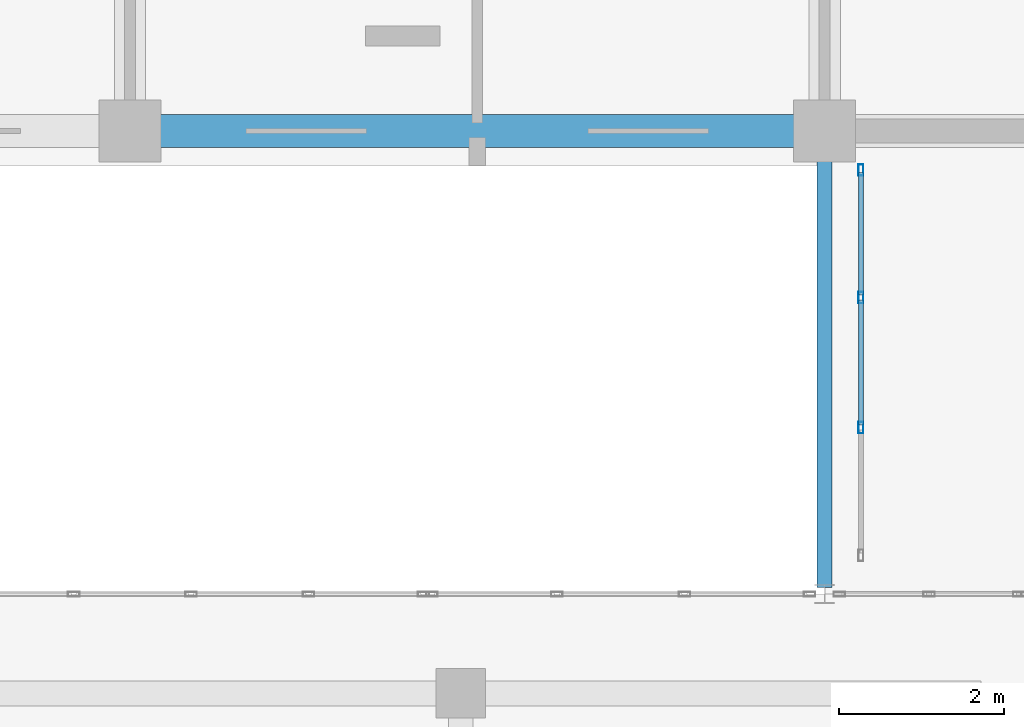
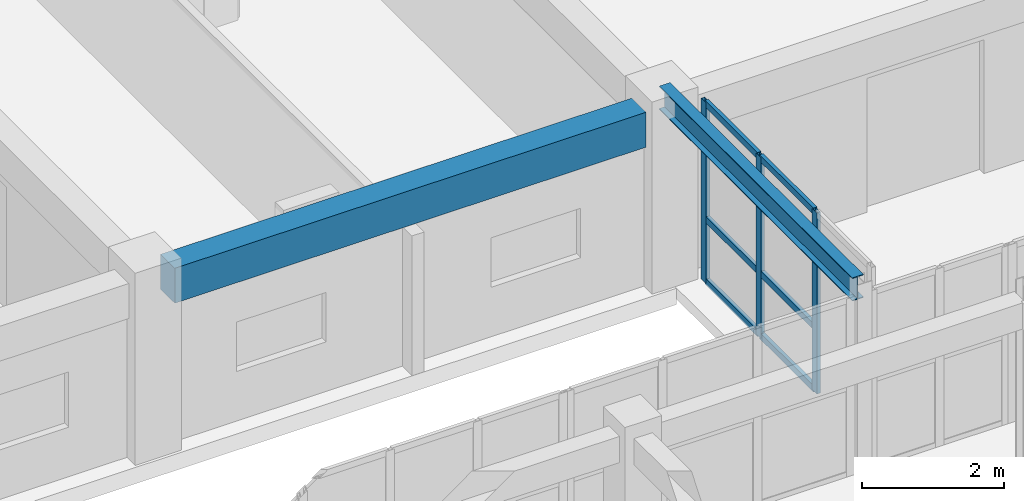
# One storey, part 88 of 200: 9 members, 2 beams, 1 element without a shape of its own.
"""IFC4 building model written with IfcOpenShell, lengths in metres."""

from ifc_helpers import new_model, si_unit, direction, frame, origin, origin_2d, place, context, subcontext, project, spatial, rectangle, hollow_rectangle, i_section, extrude, material, layer, layer_set, material_profile, profile_set, type_object, element, aggregate, save


model = new_model("IFC4")

# Units and contexts
model_context = context("Model", 3, precision=1e-05, world=origin(), true_north=direction((0.0, 1.0)))
body_context = subcontext(model_context, "Body", "Model", "MODEL_VIEW")
ifc_project = project(units=[si_unit("LENGTHUNIT", "METRE"), si_unit("AREAUNIT", "SQUARE_METRE"), si_unit("VOLUMEUNIT", "CUBIC_METRE"), si_unit("PLANEANGLEUNIT", "RADIAN"), si_unit("MASSUNIT", "GRAM", prefix="KILO")], contexts=[model_context])

# Site, building, storey
site_placement = place(None, origin())
site = spatial("IfcSite", under=ifc_project, at=site_placement, CompositionType="ELEMENT")
building_placement = place(site_placement, origin())
building = spatial("IfcBuilding", under=site, at=building_placement, Name="Trelvath General Hospital", CompositionType="ELEMENT")
storey_placement = place(building_placement, frame((0.0, 0.0, 4.800048828125)))
storey = spatial("IfcBuildingStorey", under=building, at=storey_placement, Name="L01", CompositionType="ELEMENT", Elevation=4.800048828125)

# Beams
ifc_material_1 = material(Name="Concrete C35/45", Category="concrete")
ifc_material_profile_1 = material_profile(ifc_material_1, rectangle(XDim=0.39990234375, YDim=0.60009765625, at=origin_2d()), Name="RCB400x600")
ifc_profile_set_1 = profile_set([ifc_material_profile_1], Name="Concrete C35/45")
beam_type_1 = type_object("IfcBeamType", Name="Beam RC400x600", PredefinedType="BEAM", material=ifc_profile_set_1)
beam_1_placement = place(storey_placement, frame((50.77001953125, 92.39990234375, 2.719970703125), z_axis=(1.0, 0.0, 0.0), x_axis=(0.0, 1.0, 0.0)))
element("IfcBeam", 1, at=beam_1_placement, inside=storey, type_object=beam_type_1, Name="Grid Beam BX-106L", PredefinedType="BEAM", context=body_context, shape_type="SweptSolid", body=[
    extrude(rectangle(XDim=0.39990234375, YDim=0.60009765625, at=origin_2d()), origin(), (0.0, 0.0, 1.0), 7.659912109375),
])
ifc_material_2 = material(Name="Steel S355", Category="steel")
ifc_material_profile_2 = material_profile(ifc_material_2, i_section(OverallWidth=0.179931640625, OverallDepth=0.39990234375, WebThickness=0.008544921875, FlangeThickness=0.013427734375, at=origin_2d()), Name="IPE400")
ifc_profile_set_2 = profile_set([ifc_material_profile_2], Name="Steel S355")
beam_type_2 = type_object("IfcBeamType", Name="BridgeGirder IPE400", PredefinedType="BEAM", material=ifc_profile_set_2)
beam_2_placement = place(storey_placement, frame((58.800048828125, 86.8798828125, 3.099853515625), z_axis=(0.0, 1.0, 0.0), x_axis=(-1.0, 0.0, 0.0)))
element("IfcBeam", 2, at=beam_2_placement, inside=storey, type_object=beam_type_2, Name="Bridge Roof Girder BRG-N-W W", PredefinedType="BEAM", context=body_context, shape_type="SweptSolid", body=[
    extrude(i_section(OverallWidth=0.179931640625, OverallDepth=0.39990234375, WebThickness=0.008544921875, FlangeThickness=0.013427734375, at=origin_2d()), origin(), (0.0, 0.0, 1.0), 5.440185546875),
])

# Curtain wall, members
ifc_material_3 = material(Name="Anodised aluminium and low-E glass", Category="aluminium")
ifc_layer = layer(ifc_material_3, 0.139892578125)
ifc_layer_set = layer_set([ifc_layer], Name="Anodised aluminium and low-E glass")
curtain_wall_type = type_object("IfcCurtainWallType", Name="CW Bridge 472 311", PredefinedType="USERDEFINED", material=ifc_layer_set)
curtain_wall_placement = place(storey_placement, origin())
curtain_wall = element("IfcCurtainWall", 3, at=curtain_wall_placement, inside=storey, type_object=curtain_wall_type, Name="Glazed Bridge Curtain Wall BRG-N-W W L01", ObjectType="Unitised Glazed Curtain Wall", PredefinedType="USERDEFINED")
ifc_material_4 = material(Name="Anodised aluminium", Category="aluminium")
ifc_material_profile_3 = material_profile(ifc_material_4, hollow_rectangle(XDim=0.06005859375, YDim=0.139892578125, WallThickness=0.00390625, at=origin_2d()), Name="RHS60x140x4")
ifc_profile_set_3 = profile_set([ifc_material_profile_3], Name="Anodised aluminium")
member_type_1 = type_object("IfcMemberType", Name="CurtainMullion 60x140", PredefinedType="MULLION", material=ifc_profile_set_3)
member_1_placement = place(storey_placement, frame((59.239990234375, 88.813232421875, 0.0), z_axis=(0.0, 0.0, 1.0), x_axis=(-1.0, 0.0, 0.0)))
member_1 = element("IfcMember", 4, at=member_1_placement, type_object=member_type_1, Name="CW-182 mullion 2", PredefinedType="MULLION", context=body_context, shape_type="SweptSolid", body=[
    extrude(hollow_rectangle(XDim=0.06005859375, YDim=0.139892578125, WallThickness=0.00390625, at=origin_2d()), origin(), (0.0, 0.0, 1.0), 3.10986328125),
])
member_2_placement = place(storey_placement, frame((59.239990234375, 90.38671875, 0.0), z_axis=(0.0, 0.0, 1.0), x_axis=(-1.0, 0.0, 0.0)))
member_2 = element("IfcMember", 5, at=member_2_placement, type_object=member_type_1, Name="CW-182 mullion 3", PredefinedType="MULLION", context=body_context, shape_type="SweptSolid", body=[
    extrude(hollow_rectangle(XDim=0.06005859375, YDim=0.139892578125, WallThickness=0.00390625, at=origin_2d()), origin(), (0.0, 0.0, 1.0), 3.10986328125),
])
member_3_placement = place(storey_placement, frame((59.239990234375, 91.929931640625, 0.0), z_axis=(0.0, 0.0, 1.0), x_axis=(-1.0, 0.0, 0.0)))
member_3 = element("IfcMember", 6, at=member_3_placement, type_object=member_type_1, Name="CW-182 mullion 4", PredefinedType="MULLION", context=body_context, shape_type="SweptSolid", body=[
    extrude(hollow_rectangle(XDim=0.06005859375, YDim=0.139892578125, WallThickness=0.00390625, at=origin_2d()), origin(), (0.0, 0.0, 1.0), 3.10986328125),
])
ifc_material_5 = material(Name="Anodised aluminium", Category="aluminium")
ifc_material_profile_4 = material_profile(ifc_material_5, hollow_rectangle(XDim=0.06005859375, YDim=0.110107421875, WallThickness=0.00390625, at=origin_2d()), Name="RHS60x110x4")
ifc_profile_set_4 = profile_set([ifc_material_profile_4], Name="Anodised aluminium")
member_type_2 = type_object("IfcMemberType", Name="CurtainTransom 60x110", PredefinedType="USERDEFINED", material=ifc_profile_set_4)
member_4_placement = place(storey_placement, frame((59.239990234375, 88.84326171875, 0.030029296875), z_axis=(0.0, 1.0, 0.0), x_axis=(-1.0, 0.0, 0.0)))
member_4 = element("IfcMember", 7, at=member_4_placement, type_object=member_type_2, Name="CW-182 transom 2.1", ObjectType="TRANSOM", PredefinedType="USERDEFINED", context=body_context, shape_type="SweptSolid", body=[
    extrude(hollow_rectangle(XDim=0.06005859375, YDim=0.110107421875, WallThickness=0.00390625, at=origin_2d()), origin(), (0.0, 0.0, 1.0), 1.513427734375),
])
member_5_placement = place(storey_placement, frame((59.239990234375, 88.84326171875, 1.099853515625), z_axis=(0.0, 1.0, 0.0), x_axis=(-1.0, 0.0, 0.0)))
member_5 = element("IfcMember", 8, at=member_5_placement, type_object=member_type_2, Name="CW-182 transom 2.2", ObjectType="TRANSOM", PredefinedType="USERDEFINED", context=body_context, shape_type="SweptSolid", body=[
    extrude(hollow_rectangle(XDim=0.06005859375, YDim=0.110107421875, WallThickness=0.00390625, at=origin_2d()), origin(), (0.0, 0.0, 1.0), 1.513427734375),
])
member_6_placement = place(storey_placement, frame((59.239990234375, 88.84326171875, 3.079833984375), z_axis=(0.0, 1.0, 0.0), x_axis=(-1.0, 0.0, 0.0)))
member_6 = element("IfcMember", 9, at=member_6_placement, type_object=member_type_2, Name="CW-182 transom 2.3", ObjectType="TRANSOM", PredefinedType="USERDEFINED", context=body_context, shape_type="SweptSolid", body=[
    extrude(hollow_rectangle(XDim=0.06005859375, YDim=0.110107421875, WallThickness=0.00390625, at=origin_2d()), origin(), (0.0, 0.0, 1.0), 1.513427734375),
])
member_7_placement = place(storey_placement, frame((59.239990234375, 90.416748046875, 0.030029296875), z_axis=(0.0, 1.0, 0.0), x_axis=(-1.0, 0.0, 0.0)))
member_7 = element("IfcMember", 10, at=member_7_placement, type_object=member_type_2, Name="CW-182 transom 3.1", ObjectType="TRANSOM", PredefinedType="USERDEFINED", context=body_context, shape_type="SweptSolid", body=[
    extrude(hollow_rectangle(XDim=0.06005859375, YDim=0.110107421875, WallThickness=0.00390625, at=origin_2d()), origin(), (0.0, 0.0, 1.0), 1.483154296875),
])
member_8_placement = place(storey_placement, frame((59.239990234375, 90.416748046875, 1.099853515625), z_axis=(0.0, 1.0, 0.0), x_axis=(-1.0, 0.0, 0.0)))
member_8 = element("IfcMember", 11, at=member_8_placement, type_object=member_type_2, Name="CW-182 transom 3.2", ObjectType="TRANSOM", PredefinedType="USERDEFINED", context=body_context, shape_type="SweptSolid", body=[
    extrude(hollow_rectangle(XDim=0.06005859375, YDim=0.110107421875, WallThickness=0.00390625, at=origin_2d()), origin(), (0.0, 0.0, 1.0), 1.483154296875),
])
member_9_placement = place(storey_placement, frame((59.239990234375, 90.416748046875, 3.079833984375), z_axis=(0.0, 1.0, 0.0), x_axis=(-1.0, 0.0, 0.0)))
member_9 = element("IfcMember", 12, at=member_9_placement, type_object=member_type_2, Name="CW-182 transom 3.3", ObjectType="TRANSOM", PredefinedType="USERDEFINED", context=body_context, shape_type="SweptSolid", body=[
    extrude(hollow_rectangle(XDim=0.06005859375, YDim=0.110107421875, WallThickness=0.00390625, at=origin_2d()), origin(), (0.0, 0.0, 1.0), 1.483154296875),
])
aggregate(curtain_wall, [member_1, member_2, member_3, member_4, member_5, member_6, member_7, member_8, member_9])

save(model, "model.ifc")
